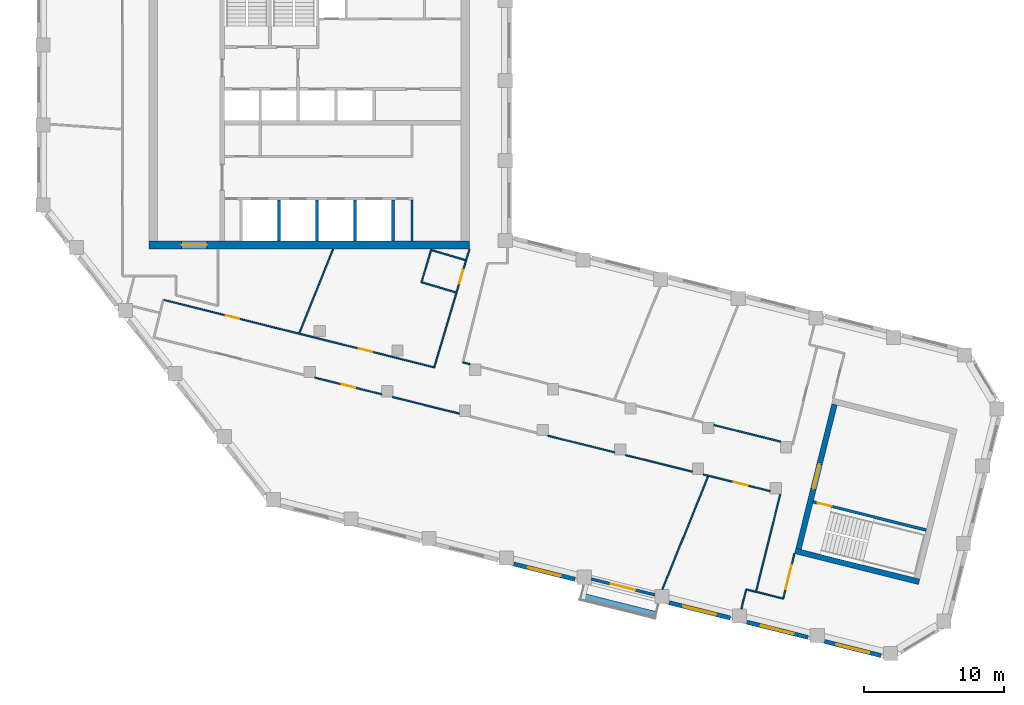
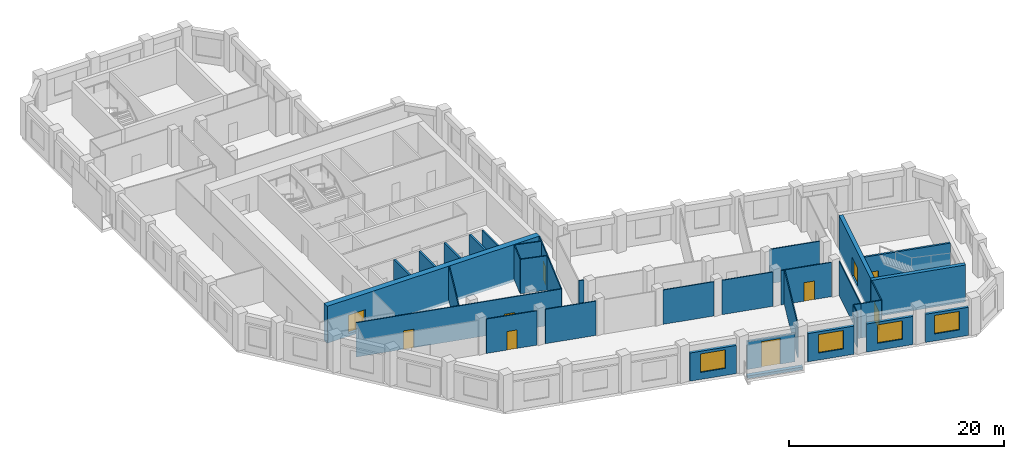
# One storey, part 3 of 9: 34 walls, 10 doors, 4 windows, 14 openings.
"""IFC4 building model written with IfcOpenShell, lengths in metres."""

from ifc_helpers import new_model, si_unit, direction, frame, frame_2d, origin, place, context, subcontext, project, spatial, rectangle, extrude, material, layer, layer_set, type_object, element, fill, save


model = new_model("IFC4")

# Units and contexts
model_context = context("Model", 3, precision=1e-05, world=origin(), true_north=direction((0.0, 1.0)))
body_context = subcontext(model_context, "Body", "Model", "MODEL_VIEW")
ifc_project = project(units=[si_unit("LENGTHUNIT", "METRE"), si_unit("AREAUNIT", "SQUARE_METRE"), si_unit("VOLUMEUNIT", "CUBIC_METRE"), si_unit("PLANEANGLEUNIT", "RADIAN"), si_unit("MASSUNIT", "GRAM", prefix="KILO")], contexts=[model_context])

# Site, building, storey
site_placement = place(None, origin())
site = spatial("IfcSite", under=ifc_project, at=site_placement, CompositionType="ELEMENT")
building_placement = place(site_placement, origin())
building = spatial("IfcBuilding", under=site, at=building_placement, Name="Meshkara Civic Tower", CompositionType="ELEMENT")
storey_placement = place(building_placement, frame((0.0, 0.0, 310.800048828125)))
storey = spatial("IfcBuildingStorey", under=building, at=storey_placement, Name="L71", CompositionType="ELEMENT", Elevation=310.800048828125)

# Wall
ifc_material_1 = material(Name="Blockwork", Category="masonry")
ifc_layer_1 = layer(ifc_material_1, 0.14990234375)
ifc_layer_set_1 = layer_set([ifc_layer_1], Name="Core partition 150")
wall_type_1 = type_object("IfcWallType", Name="Core partition 150", PredefinedType="PARTITIONING", material=ifc_layer_set_1)
wall_1_placement = place(storey_placement, frame((26.699951171875, 14.699951171875, 0.0), z_axis=(0.0, 0.0, 1.0), x_axis=(0.0, 1.0, 0.0)))
element("IfcWall", 1, at=wall_1_placement, inside=storey, type_object=wall_type_1, Name="L71-C024", PredefinedType="PARTITIONING", context=body_context, shape_type="SweptSolid", body=[
    extrude(rectangle(XDim=2.900146484375, YDim=0.14990234375, at=frame_2d((1.4501953125, 0.0))), origin(), (0.0, 0.0, 1.0), 3.89990234375),
])

# Wall, opening, door
ifc_material_2 = material(Name="Concrete C60", Category="concrete")
ifc_layer_2 = layer(ifc_material_2, 0.60009765625)
ifc_layer_set_2 = layer_set([ifc_layer_2], Name="Core ring wall 600 C60")
wall_type_2 = type_object("IfcWallType", Name="Core ring wall 600 C60", PredefinedType="SHEAR", material=ifc_layer_set_2)
wall_2_placement = place(storey_placement, frame((8.0, 14.39990234375, -0.300048828125), z_axis=(0.0, 0.0, 1.0), x_axis=(1.0, 0.0, 0.0)))
wall_2 = element("IfcWall", 2, at=wall_2_placement, inside=storey, type_object=wall_type_2, Name="L71-C001", PredefinedType="SHEAR", context=body_context, shape_type="SweptSolid", body=[
    extrude(rectangle(XDim=22.800048828125, YDim=0.60009765625, at=frame_2d((11.39990234375, 0.0))), origin(), (0.0, 0.0, 1.0), 4.199951171875),
])
opening_1_placement = place(wall_2_placement, frame((2.300048828125, 0.0, 0.300048828125)))
opening_1 = element("IfcOpeningElement", 3, at=opening_1_placement, cuts=wall_2, Name="Opening L71-K023", PredefinedType="OPENING", context=body_context, shape_type="SweptSolid", body=[
    extrude(rectangle(XDim=1.800048828125, YDim=2.10009765625, at=frame_2d((0.89990234375, 1.050048828125))), frame((0.0, 0.31005859375, 0.0), z_axis=(0.0, -1.0, 0.0), x_axis=(1.0, 0.0, 0.0)), (0.0, 0.0, 1.0), 0.6201171875),
])
ifc_material_3 = material(Name="Fire-rated door leaf in steel frame", Category="steel")
door_type_1 = type_object("IfcDoorType", Name="Core double door 1800 EI 60", OperationType="DOUBLE_DOOR_SINGLE_SWING", PredefinedType="DOOR", material=ifc_material_3)
door_1_placement = place(opening_1_placement, origin())
door_1 = element("IfcDoor", 4, at=door_1_placement, inside=storey, type_object=door_type_1, Name="L71-K023", OperationType="DOUBLE_DOOR_SINGLE_SWING", OverallHeight=2.10009765625, OverallWidth=1.800048828125, PredefinedType="DOOR", context=body_context, shape_type="SweptSolid", body=[
    extrude(rectangle(XDim=1.800048828125, YDim=2.10009765625, at=frame_2d((0.89990234375, 1.050048828125))), frame((0.0, 0.02490234375, 0.0), z_axis=(0.0, -1.0, 0.0), x_axis=(1.0, 0.0, 0.0)), (0.0, 0.0, 1.0), 0.050048828125),
])
fill(opening_1, door_1)

# Wall, openings, doors
ifc_material_4 = material(Name="Corridor wall 100")
ifc_layer_3 = layer(ifc_material_4, 0.10009765625)
ifc_layer_set_3 = layer_set([ifc_layer_3], Name="Corridor wall 100")
wall_type_3 = type_object("IfcWallType", Name="Corridor wall 100", PredefinedType="PARTITIONING", material=ifc_layer_set_3)
wall_3_placement = place(storey_placement, frame((9.001953125, 10.4990234375, 0.0), z_axis=(0.0, 0.0, 1.0), x_axis=(0.970298340477, -0.241911410372, 0.0)))
wall_3 = element("IfcWall", 5, at=wall_3_placement, inside=storey, type_object=wall_type_3, Name="L71-W007", PredefinedType="PARTITIONING", context=body_context, shape_type="SweptSolid", body=[
    extrude(rectangle(XDim=19.879638671875, YDim=0.10009765625, at=frame_2d((9.93994140625, 0.0))), origin(), (0.0, 0.0, 1.0), 3.89990234375),
])
opening_2_placement = place(wall_3_placement, frame((4.580078125, 0.0, 0.0)))
opening_2 = element("IfcOpeningElement", 6, at=opening_2_placement, cuts=wall_3, Name="Opening L71-D009", PredefinedType="OPENING", context=body_context, shape_type="SweptSolid", body=[
    extrude(rectangle(XDim=1.0, YDim=2.10009765625, at=frame_2d((0.5, 1.050048828125))), frame((0.0, 0.06005859375, 0.0), z_axis=(0.0, -1.0, 0.0), x_axis=(1.0, 0.0, 0.0)), (0.0, 0.0, 1.0), 0.1201171875),
])
opening_3_placement = place(wall_3_placement, frame((14.343017578125, 0.0, 0.0)))
opening_3 = element("IfcOpeningElement", 7, at=opening_3_placement, cuts=wall_3, Name="Opening L71-D010", PredefinedType="OPENING", context=body_context, shape_type="SweptSolid", body=[
    extrude(rectangle(XDim=1.0, YDim=2.10009765625, at=frame_2d((0.5, 1.050048828125))), frame((0.0, 0.06005859375, 0.0), z_axis=(0.0, -1.0, 0.0), x_axis=(1.0, 0.0, 0.0)), (0.0, 0.0, 1.0), 0.1201171875),
])
ifc_material_5 = material(Name="Door 1000 x 2100")
door_type_2 = type_object("IfcDoorType", Name="Door 1000 x 2100", OperationType="SINGLE_SWING_LEFT", PredefinedType="DOOR", material=ifc_material_5)
door_2_placement = place(opening_2_placement, origin())
door_2 = element("IfcDoor", 8, at=door_2_placement, inside=storey, type_object=door_type_2, Name="L71-D009", OperationType="SINGLE_SWING_RIGHT", OverallHeight=2.10009765625, OverallWidth=1.0, PredefinedType="DOOR", context=body_context, shape_type="SweptSolid", body=[
    extrude(rectangle(XDim=1.0, YDim=2.10009765625, at=frame_2d((0.5, 1.050048828125))), frame((0.0, 0.02490234375, 0.0), z_axis=(0.0, -1.0, 0.0), x_axis=(1.0, 0.0, 0.0)), (0.0, 0.0, 1.0), 0.050048828125),
])
fill(opening_2, door_2)
door_3_placement = place(opening_3_placement, origin())
door_3 = element("IfcDoor", 9, at=door_3_placement, inside=storey, type_object=door_type_2, Name="L71-D010", OperationType="SINGLE_SWING_LEFT", OverallHeight=2.10009765625, OverallWidth=1.0, PredefinedType="DOOR", context=body_context, shape_type="SweptSolid", body=[
    extrude(rectangle(XDim=1.0, YDim=2.10009765625, at=frame_2d((0.5, 1.050048828125))), frame((0.0, 0.02490234375, 0.0), z_axis=(0.0, -1.0, 0.0), x_axis=(1.0, 0.0, 0.0)), (0.0, 0.0, 1.0), 0.050048828125),
])
fill(opening_3, door_3)

# Wall, opening, door
wall_4_placement = place(storey_placement, frame((19.785888671875, 4.9599609375, 0.0), z_axis=(0.0, 0.0, 1.0), x_axis=(0.970335085454, -0.241763979817, 0.0)))
wall_4 = element("IfcWall", 10, at=wall_4_placement, inside=storey, type_object=wall_type_3, Name="L71-W016", PredefinedType="PARTITIONING", context=body_context, shape_type="SweptSolid", body=[
    extrude(rectangle(XDim=4.913818359375, YDim=0.10009765625, at=frame_2d((2.45703125, 0.0))), origin(), (0.0, 0.0, 1.0), 3.89990234375),
])
opening_4_placement = place(wall_4_placement, frame((1.97998046875, 0.0, 0.0)))
opening_4 = element("IfcOpeningElement", 11, at=opening_4_placement, cuts=wall_4, Name="Opening L71-D003", PredefinedType="OPENING", context=body_context, shape_type="SweptSolid", body=[
    extrude(rectangle(XDim=1.0, YDim=2.10009765625, at=frame_2d((0.5, 1.050048828125))), frame((0.0, 0.06005859375, 0.0), z_axis=(0.0, -1.0, 0.0), x_axis=(1.0, 0.0, 0.0)), (0.0, 0.0, 1.0), 0.1201171875),
])
door_4_placement = place(opening_4_placement, origin())
door_4 = element("IfcDoor", 12, at=door_4_placement, inside=storey, type_object=door_type_2, Name="L71-D003", OperationType="SINGLE_SWING_LEFT", OverallHeight=2.10009765625, OverallWidth=1.0, PredefinedType="DOOR", context=body_context, shape_type="SweptSolid", body=[
    extrude(rectangle(XDim=1.0, YDim=2.10009765625, at=frame_2d((0.5, 1.050048828125))), frame((0.0, 0.02490234375, 0.0), z_axis=(0.0, -1.0, 0.0), x_axis=(1.0, 0.0, 0.0)), (0.0, 0.0, 1.0), 0.050048828125),
])
fill(opening_4, door_4)

# Wall
wall_5_placement = place(storey_placement, frame((25.319091796875, 3.5810546875, 0.0), z_axis=(0.0, 0.0, 1.0), x_axis=(0.970308932068, -0.2418689239, 0.0)))
element("IfcWall", 13, at=wall_5_placement, inside=storey, type_object=wall_type_3, Name="L71-W019", PredefinedType="PARTITIONING", context=body_context, shape_type="SweptSolid", body=[
    extrude(rectangle(XDim=4.91162109375, YDim=0.10009765625, at=frame_2d((2.455810546875, 0.0))), origin(), (0.0, 0.0, 1.0), 3.89990234375),
])

# Wall, opening, door
wall_6_placement = place(storey_placement, frame((28.291015625, 5.68994140625, 0.0), z_axis=(0.0, 0.0, 1.0), x_axis=(0.28588265334, 0.958264633867, 0.0)))
wall_6 = element("IfcWall", 14, at=wall_6_placement, inside=storey, type_object=wall_type_3, Name="L71-W020", PredefinedType="PARTITIONING", context=body_context, shape_type="SweptSolid", body=[
    extrude(rectangle(XDim=8.7763671875, YDim=0.10009765625, at=frame_2d((4.38818359375, 0.0))), origin(), (0.0, 0.0, 1.0), 3.89990234375),
])
opening_5_placement = place(wall_6_placement, frame((6.22998046875, 0.0, 0.0)))
opening_5 = element("IfcOpeningElement", 15, at=opening_5_placement, cuts=wall_6, Name="Opening L71-D012", PredefinedType="OPENING", context=body_context, shape_type="SweptSolid", body=[
    extrude(rectangle(XDim=1.0, YDim=2.10009765625, at=frame_2d((0.5, 1.050048828125))), frame((0.0, 0.06005859375, 0.0), z_axis=(0.0, -1.0, 0.0), x_axis=(1.0, 0.0, 0.0)), (0.0, 0.0, 1.0), 0.1201171875),
])
door_5_placement = place(opening_5_placement, origin())
door_5 = element("IfcDoor", 16, at=door_5_placement, inside=storey, type_object=door_type_2, Name="L71-D012", OperationType="SINGLE_SWING_LEFT", OverallHeight=2.10009765625, OverallWidth=1.0, PredefinedType="DOOR", context=body_context, shape_type="SweptSolid", body=[
    extrude(rectangle(XDim=1.0, YDim=2.10009765625, at=frame_2d((0.5, 1.050048828125))), frame((0.0, 0.02490234375, 0.0), z_axis=(0.0, -1.0, 0.0), x_axis=(1.0, 0.0, 0.0)), (0.0, 0.0, 1.0), 0.050048828125),
])
fill(opening_5, door_5)

# Walls
wall_7_placement = place(storey_placement, frame((30.844970703125, 5.9130859375, 0.0), z_axis=(0.0, 0.0, 1.0), x_axis=(-0.970279216762, 0.241988102022, 0.0)))
element("IfcWall", 17, at=wall_7_placement, inside=storey, type_object=wall_type_3, Name="L71-W022", PredefinedType="PARTITIONING", context=body_context, shape_type="SweptSolid", body=[
    extrude(rectangle(XDim=0.524658203125, YDim=0.10009765625, at=frame_2d((0.26220703125, 0.0))), origin(), (0.0, 0.0, 1.0), 3.89990234375),
])
for number, where, z_axis, x_axis, name in (
    (18, (36.383056640625, 0.822998046875, 0.0), (0.0, 0.0, 1.0), (0.970274007865, -0.242008986738, 0.0), "L71-W027"),
    (19, (41.9140625, -0.555908203125, 0.0), (0.0, 0.0, 1.0), (0.970274007865, -0.242008986738, 0.0), "L71-W030"),
):
    element("IfcWall", number, at=place(storey_placement, frame(where, z_axis=z_axis, x_axis=x_axis)), inside=storey, type_object=wall_type_3, Name=name, PredefinedType="PARTITIONING", context=body_context, shape_type="SweptSolid", body=[
        extrude(rectangle(XDim=4.908935546875, YDim=0.10009765625, at=frame_2d((2.45458984375, 0.0))), origin(), (0.0, 0.0, 1.0), 3.89990234375),
    ])

# Wall, opening, door
wall_8_placement = place(storey_placement, frame((47.444091796875, -1.93505859375, 0.0), z_axis=(0.0, 0.0, 1.0), x_axis=(0.970285656006, -0.241962281665, 0.0)))
wall_8 = element("IfcWall", 20, at=wall_8_placement, inside=storey, type_object=wall_type_3, Name="L71-W032", PredefinedType="PARTITIONING", context=body_context, shape_type="SweptSolid", body=[
    extrude(rectangle(XDim=4.909912109375, YDim=0.10009765625, at=frame_2d((2.455078125, 0.0))), origin(), (0.0, 0.0, 1.0), 3.89990234375),
])
opening_6_placement = place(wall_8_placement, frame((2.2470703125, 0.0, 0.0)))
opening_6 = element("IfcOpeningElement", 21, at=opening_6_placement, cuts=wall_8, Name="Opening L71-D002", PredefinedType="OPENING", context=body_context, shape_type="SweptSolid", body=[
    extrude(rectangle(XDim=1.0, YDim=2.10009765625, at=frame_2d((0.5, 1.050048828125))), frame((0.0, 0.06005859375, 0.0), z_axis=(0.0, -1.0, 0.0), x_axis=(1.0, 0.0, 0.0)), (0.0, 0.0, 1.0), 0.1201171875),
])
door_6_placement = place(opening_6_placement, origin())
door_6 = element("IfcDoor", 22, at=door_6_placement, inside=storey, type_object=door_type_2, Name="L71-D002", OperationType="SINGLE_SWING_LEFT", OverallHeight=2.10009765625, OverallWidth=1.0, PredefinedType="DOOR", context=body_context, shape_type="SweptSolid", body=[
    extrude(rectangle(XDim=1.0, YDim=2.10009765625, at=frame_2d((0.5, 1.050048828125))), frame((0.0, 0.02490234375, 0.0), z_axis=(0.0, -1.0, 0.0), x_axis=(1.0, 0.0, 0.0)), (0.0, 0.0, 1.0), 0.050048828125),
])
fill(opening_6, door_6)

# Walls
wall_9_placement = place(storey_placement, frame((51.200927734375, -10.2919921875, 0.0), z_axis=(0.0, 0.0, 1.0), x_axis=(0.970307382734, -0.241875139301, 0.0)))
element("IfcWall", 23, at=wall_9_placement, inside=storey, type_object=wall_type_3, Name="L71-W033", PredefinedType="PARTITIONING", context=body_context, shape_type="SweptSolid", body=[
    extrude(rectangle(XDim=2.00048828125, YDim=0.10009765625, at=frame_2d((1.000244140625, 0.0))), origin(), (0.0, 0.0, 1.0), 3.89990234375),
])
wall_10_placement = place(storey_placement, frame((52.94091796875, -3.31396484375, 0.0), z_axis=(0.0, 0.0, 1.0), x_axis=(-0.241944492524, -0.97029009195, 0.0)))
element("IfcWall", 24, at=wall_10_placement, inside=storey, type_object=wall_type_3, Name="L71-W034", PredefinedType="PARTITIONING", context=body_context, shape_type="SweptSolid", body=[
    extrude(rectangle(XDim=7.191650390625, YDim=0.10009765625, at=frame_2d((3.595703125, 0.0))), origin(), (0.0, 0.0, 1.0), 3.89990234375),
])
wall_11_placement = place(storey_placement, frame((52.971923828125, 0.39697265625, 0.0), z_axis=(0.0, 0.0, 1.0), x_axis=(-0.970300077675, 0.241904442422, 0.0)))
element("IfcWall", 25, at=wall_11_placement, inside=storey, type_object=wall_type_3, Name="L71-W035", PredefinedType="PARTITIONING", context=body_context, shape_type="SweptSolid", body=[
    extrude(rectangle(XDim=4.9150390625, YDim=0.10009765625, at=frame_2d((2.45751953125, 0.0))), origin(), (0.0, 0.0, 1.0), 3.89990234375),
])

# Wall, opening, door
wall_12_placement = place(storey_placement, frame((53.14208984375, -10.77587890625, 0.0), z_axis=(0.0, 0.0, 1.0), x_axis=(0.241786986316, 0.970329352977, 0.0)))
wall_12 = element("IfcWall", 26, at=wall_12_placement, inside=storey, type_object=wall_type_3, Name="L71-W036", PredefinedType="PARTITIONING", context=body_context, shape_type="SweptSolid", body=[
    extrude(rectangle(XDim=3.2998046875, YDim=0.10009765625, at=frame_2d((1.64990234375, 0.0))), origin(), (0.0, 0.0, 1.0), 3.89990234375),
])
opening_7_placement = place(wall_12_placement, frame((0.679931640625, 0.0, 0.0)))
opening_7 = element("IfcOpeningElement", 27, at=opening_7_placement, cuts=wall_12, Name="Opening L71-D001", PredefinedType="OPENING", context=body_context, shape_type="SweptSolid", body=[
    extrude(rectangle(XDim=1.800048828125, YDim=2.10009765625, at=frame_2d((0.89990234375, 1.050048828125))), frame((0.0, 0.06005859375, 0.0), z_axis=(0.0, -1.0, 0.0), x_axis=(1.0, 0.0, 0.0)), (0.0, 0.0, 1.0), 0.1201171875),
])
ifc_material_6 = material(Name="Door pair 1800 x 2100")
door_type_3 = type_object("IfcDoorType", Name="Door pair 1800 x 2100", OperationType="SINGLE_SWING_LEFT", PredefinedType="DOOR", material=ifc_material_6)
door_7_placement = place(opening_7_placement, origin())
door_7 = element("IfcDoor", 28, at=door_7_placement, inside=storey, type_object=door_type_3, Name="L71-D001", OperationType="DOUBLE_DOOR_SINGLE_SWING", OverallHeight=2.10009765625, OverallWidth=1.800048828125, PredefinedType="DOOR", context=body_context, shape_type="SweptSolid", body=[
    extrude(rectangle(XDim=1.800048828125, YDim=2.10009765625, at=frame_2d((0.89990234375, 1.050048828125))), frame((0.0, 0.02490234375, 0.0), z_axis=(0.0, -1.0, 0.0), x_axis=(1.0, 0.0, 0.0)), (0.0, 0.0, 1.0), 0.050048828125),
])
fill(opening_7, door_7)

# Wall, opening, window
ifc_material_7 = material(Name="Insulated infill panel with bronze anodised aluminium cladding", Category="aluminium")
ifc_layer_4 = layer(ifc_material_7, 0.300048828125)
ifc_layer_set_4 = layer_set([ifc_layer_4], Name="EXTERNAL INFILL WALL 300")
wall_type_4 = type_object("IfcWallType", Name="EXTERNAL INFILL WALL 300", PredefinedType="SOLIDWALL", material=ifc_layer_set_4)
wall_13_placement = place(storey_placement, frame((33.958984375, -8.31201171875, 0.0), z_axis=(0.0, 0.0, 1.0), x_axis=(0.970276766004, -0.241997928406, 0.0)))
wall_13 = element("IfcWall", 29, at=wall_13_placement, inside=storey, type_object=wall_type_4, Name="External wall", PredefinedType="SOLIDWALL", context=body_context, shape_type="SweptSolid", body=[
    extrude(rectangle(XDim=4.4873046875, YDim=0.300048828125, at=frame_2d((2.24365234375, 0.0))), origin(), (0.0, 0.0, 1.0), 3.199951171875),
])
opening_8_placement = place(wall_13_placement, frame((1.0439453125, 0.0, 0.800048828125)))
opening_8 = element("IfcOpeningElement", 30, at=opening_8_placement, cuts=wall_13, Name="Opening W7", PredefinedType="OPENING", context=body_context, shape_type="SweptSolid", body=[
    extrude(rectangle(XDim=2.39990234375, YDim=2.10009765625, at=frame_2d((1.199951171875, 1.050048828125))), frame((0.0, 0.159912109375, 0.0), z_axis=(0.0, -1.0, 0.0), x_axis=(1.0, 0.0, 0.0)), (0.0, 0.0, 1.0), 0.320068359375),
])
ifc_material_8 = material(Name="Tinted double glazing", Category="glass")
window_type = type_object("IfcWindowType", Name="WINDOW 2400x2100", PartitioningType="DOUBLE_PANEL_VERTICAL", PredefinedType="WINDOW", material=ifc_material_8)
window_1_placement = place(opening_8_placement, origin())
window_1 = element("IfcWindow", 31, at=window_1_placement, inside=storey, type_object=window_type, Name="Window", OverallHeight=2.10009765625, OverallWidth=2.39990234375, PartitioningType="DOUBLE_PANEL_VERTICAL", PredefinedType="WINDOW", context=body_context, shape_type="SweptSolid", body=[
    extrude(rectangle(XDim=2.39990234375, YDim=2.10009765625, at=frame_2d((1.199951171875, 1.050048828125))), frame((0.0, 0.030029296875, 0.0), z_axis=(0.0, -1.0, 0.0), x_axis=(1.0, 0.0, 0.0)), (0.0, 0.0, 1.0), 0.06005859375),
])
fill(opening_8, window_1)

wall_14_placement = place(storey_placement, frame((45.02001953125, -11.070068359375, 0.0), z_axis=(0.0, 0.0, 1.0), x_axis=(0.970276766004, -0.241997928406, 0.0)))
wall_14 = element("IfcWall", 32, at=wall_14_placement, inside=storey, type_object=wall_type_4, Name="External wall", PredefinedType="SOLIDWALL", context=body_context, shape_type="SweptSolid", body=[
    extrude(rectangle(XDim=4.4873046875, YDim=0.300048828125, at=frame_2d((2.24365234375, 0.0))), origin(), (0.0, 0.0, 1.0), 3.199951171875),
])
opening_9_placement = place(wall_14_placement, frame((1.0439453125, 0.0, 0.800048828125)))
opening_9 = element("IfcOpeningElement", 33, at=opening_9_placement, cuts=wall_14, Name="Opening W7", PredefinedType="OPENING", context=body_context, shape_type="SweptSolid", body=[
    extrude(rectangle(XDim=2.39990234375, YDim=2.10009765625, at=frame_2d((1.199951171875, 1.050048828125))), frame((0.0, 0.159912109375, 0.0), z_axis=(0.0, -1.0, 0.0), x_axis=(1.0, 0.0, 0.0)), (0.0, 0.0, 1.0), 0.320068359375),
])
window_2_placement = place(opening_9_placement, origin())
window_2 = element("IfcWindow", 34, at=window_2_placement, inside=storey, type_object=window_type, Name="Window", OverallHeight=2.10009765625, OverallWidth=2.39990234375, PartitioningType="DOUBLE_PANEL_VERTICAL", PredefinedType="WINDOW", context=body_context, shape_type="SweptSolid", body=[
    extrude(rectangle(XDim=2.39990234375, YDim=2.10009765625, at=frame_2d((1.199951171875, 1.050048828125))), frame((0.0, 0.030029296875, 0.0), z_axis=(0.0, -1.0, 0.0), x_axis=(1.0, 0.0, 0.0)), (0.0, 0.0, 1.0), 0.06005859375),
])
fill(opening_9, window_2)

wall_15_placement = place(storey_placement, frame((50.551025390625, -12.448974609375, 0.0), z_axis=(0.0, 0.0, 1.0), x_axis=(0.970276766004, -0.241997928406, 0.0)))
wall_15 = element("IfcWall", 35, at=wall_15_placement, inside=storey, type_object=wall_type_4, Name="External wall", PredefinedType="SOLIDWALL", context=body_context, shape_type="SweptSolid", body=[
    extrude(rectangle(XDim=4.4873046875, YDim=0.300048828125, at=frame_2d((2.24365234375, 0.0))), origin(), (0.0, 0.0, 1.0), 3.199951171875),
])
opening_10_placement = place(wall_15_placement, frame((1.0439453125, 0.0, 0.800048828125)))
opening_10 = element("IfcOpeningElement", 36, at=opening_10_placement, cuts=wall_15, Name="Opening W7", PredefinedType="OPENING", context=body_context, shape_type="SweptSolid", body=[
    extrude(rectangle(XDim=2.39990234375, YDim=2.10009765625, at=frame_2d((1.199951171875, 1.050048828125))), frame((0.0, 0.159912109375, 0.0), z_axis=(0.0, -1.0, 0.0), x_axis=(1.0, 0.0, 0.0)), (0.0, 0.0, 1.0), 0.320068359375),
])
window_3_placement = place(opening_10_placement, origin())
window_3 = element("IfcWindow", 37, at=window_3_placement, inside=storey, type_object=window_type, Name="Window", OverallHeight=2.10009765625, OverallWidth=2.39990234375, PartitioningType="DOUBLE_PANEL_VERTICAL", PredefinedType="WINDOW", context=body_context, shape_type="SweptSolid", body=[
    extrude(rectangle(XDim=2.39990234375, YDim=2.10009765625, at=frame_2d((1.199951171875, 1.050048828125))), frame((0.0, 0.030029296875, 0.0), z_axis=(0.0, -1.0, 0.0), x_axis=(1.0, 0.0, 0.0)), (0.0, 0.0, 1.0), 0.06005859375),
])
fill(opening_10, window_3)

wall_16_placement = place(storey_placement, frame((56.0810546875, -13.827880859375, 0.0), z_axis=(0.0, 0.0, 1.0), x_axis=(0.970246294139, -0.242120070853, 0.0)))
wall_16 = element("IfcWall", 38, at=wall_16_placement, inside=storey, type_object=wall_type_4, Name="External wall", PredefinedType="SOLIDWALL", context=body_context, shape_type="SweptSolid", body=[
    extrude(rectangle(XDim=4.147216796875, YDim=0.300048828125, at=frame_2d((2.07373046875, 0.0))), origin(), (0.0, 0.0, 1.0), 3.199951171875),
])
opening_11_placement = place(wall_16_placement, frame((0.8740234375, 0.0, 0.800048828125)))
opening_11 = element("IfcOpeningElement", 39, at=opening_11_placement, cuts=wall_16, Name="Opening W7", PredefinedType="OPENING", context=body_context, shape_type="SweptSolid", body=[
    extrude(rectangle(XDim=2.39990234375, YDim=2.10009765625, at=frame_2d((1.199951171875, 1.050048828125))), frame((0.0, 0.159912109375, 0.0), z_axis=(0.0, -1.0, 0.0), x_axis=(1.0, 0.0, 0.0)), (0.0, 0.0, 1.0), 0.320068359375),
])
window_4_placement = place(opening_11_placement, origin())
window_4 = element("IfcWindow", 40, at=window_4_placement, inside=storey, type_object=window_type, Name="Window", OverallHeight=2.10009765625, OverallWidth=2.39990234375, PartitioningType="DOUBLE_PANEL_VERTICAL", PredefinedType="WINDOW", context=body_context, shape_type="SweptSolid", body=[
    extrude(rectangle(XDim=2.39990234375, YDim=2.10009765625, at=frame_2d((1.199951171875, 1.050048828125))), frame((0.0, 0.030029296875, 0.0), z_axis=(0.0, -1.0, 0.0), x_axis=(1.0, 0.0, 0.0)), (0.0, 0.0, 1.0), 0.06005859375),
])
fill(opening_11, window_4)

# Wall
ifc_material_9 = material(Name="Concrete C60", Category="concrete")
ifc_layer_5 = layer(ifc_material_9, 0.39990234375)
ifc_layer_set_5 = layer_set([ifc_layer_5], Name="End core ring wall 400 C60")
wall_type_5 = type_object("IfcWallType", Name="End core ring wall 400 C60", PredefinedType="SHEAR", material=ifc_layer_set_5)
wall_17_placement = place(storey_placement, frame((53.988037109375, -7.3798828125, -0.300048828125), z_axis=(0.0, 0.0, 1.0), x_axis=(0.970281210621, -0.241980107272, 0.0)))
element("IfcWall", 41, at=wall_17_placement, inside=storey, type_object=wall_type_5, Name="L71-C032", PredefinedType="SHEAR", context=body_context, shape_type="SweptSolid", body=[
    extrude(rectangle(XDim=9.1005859375, YDim=0.39990234375, at=frame_2d((4.55029296875, 0.0))), origin(), (0.0, 0.0, 1.0), 4.199951171875),
])

# Wall, opening, door
wall_18_placement = place(storey_placement, frame((54.23095703125, -7.23388671875, -0.300048828125), z_axis=(0.0, 0.0, 1.0), x_axis=(0.241890652548, 0.970303515509, 0.0)))
wall_18 = element("IfcWall", 42, at=wall_18_placement, inside=storey, type_object=wall_type_5, Name="L71-C034", PredefinedType="SHEAR", context=body_context, shape_type="SweptSolid", body=[
    extrude(rectangle(XDim=10.599609375, YDim=0.39990234375, at=frame_2d((5.2998046875, 0.0))), origin(), (0.0, 0.0, 1.0), 4.199951171875),
])
opening_12_placement = place(wall_18_placement, frame((4.39990234375, 0.0, 0.300048828125)))
opening_12 = element("IfcOpeningElement", 43, at=opening_12_placement, cuts=wall_18, Name="Opening L71-K202", PredefinedType="OPENING", context=body_context, shape_type="SweptSolid", body=[
    extrude(rectangle(XDim=1.800048828125, YDim=2.10009765625, at=frame_2d((0.89990234375, 1.050048828125))), frame((0.0, 0.2099609375, 0.0), z_axis=(0.0, -1.0, 0.0), x_axis=(1.0, 0.0, 0.0)), (0.0, 0.0, 1.0), 0.419921875),
])
door_8_placement = place(opening_12_placement, origin())
door_8 = element("IfcDoor", 44, at=door_8_placement, inside=storey, type_object=door_type_1, Name="L71-K202", OperationType="DOUBLE_DOOR_SINGLE_SWING", OverallHeight=2.10009765625, OverallWidth=1.800048828125, PredefinedType="DOOR", context=body_context, shape_type="SweptSolid", body=[
    extrude(rectangle(XDim=1.800048828125, YDim=2.10009765625, at=frame_2d((0.89990234375, 1.050048828125))), frame((0.0, 0.02490234375, 0.0), z_axis=(0.0, -1.0, 0.0), x_axis=(1.0, 0.0, 0.0)), (0.0, 0.0, 1.0), 0.050048828125),
])
fill(opening_12, door_8)

ifc_material_10 = material(Name="Insulated infill panel with bronze anodised aluminium cladding", Category="aluminium")
ifc_layer_6 = layer(ifc_material_10, 0.199951171875)
ifc_layer_set_6 = layer_set([ifc_layer_6], Name="LOGGIA BACK WALL 200")
wall_type_6 = type_object("IfcWallType", Name="LOGGIA BACK WALL 200", PredefinedType="SOLIDWALL", material=ifc_layer_set_6)
wall_19_placement = place(storey_placement, frame((39.47412109375, -9.37890625, 0.0), z_axis=(0.0, 0.0, 1.0), x_axis=(0.970308390734, -0.241871095567, 0.0)))
wall_19 = element("IfcWall", 45, at=wall_19_placement, inside=storey, type_object=wall_type_6, Name="Loggia wall", PredefinedType="SOLIDWALL", context=body_context, shape_type="SweptSolid", body=[
    extrude(rectangle(XDim=4.66845703125, YDim=0.199951171875, at=frame_2d((2.334228515625, 0.0))), origin(), (0.0, 0.0, 1.0), 3.199951171875),
])
opening_13_placement = place(wall_19_placement, frame((1.43408203125, 0.0, 0.0)))
opening_13 = element("IfcOpeningElement", 46, at=opening_13_placement, cuts=wall_19, Name="Opening L71-L002", PredefinedType="OPENING", context=body_context, shape_type="SweptSolid", body=[
    extrude(rectangle(XDim=1.800048828125, YDim=2.89990234375, at=frame_2d((0.89990234375, 1.449951171875))), frame((0.0, 0.10986328125, 0.0), z_axis=(0.0, -1.0, 0.0), x_axis=(1.0, 0.0, 0.0)), (0.0, 0.0, 1.0), 0.219970703125),
])
ifc_material_11 = material(Name="Tinted double glazing", Category="glass")
door_type_4 = type_object("IfcDoorType", Name="LOGGIA DOOR 1800x2900", OperationType="DOUBLE_DOOR_SINGLE_SWING", PredefinedType="DOOR", material=ifc_material_11)
door_9_placement = place(opening_13_placement, origin())
door_9 = element("IfcDoor", 47, at=door_9_placement, inside=storey, type_object=door_type_4, Name="L71-L002", OperationType="DOUBLE_DOOR_SINGLE_SWING", OverallHeight=2.89990234375, OverallWidth=1.800048828125, PredefinedType="DOOR", context=body_context, shape_type="SweptSolid", body=[
    extrude(rectangle(XDim=1.800048828125, YDim=2.89990234375, at=frame_2d((0.89990234375, 1.449951171875))), frame((0.0, 0.02490234375, 0.0), z_axis=(0.0, -1.0, 0.0), x_axis=(1.0, 0.0, 0.0)), (0.0, 0.0, 1.0), 0.050048828125),
])
fill(opening_13, door_9)

# Walls
ifc_material_12 = material(Name="Concrete C40", Category="concrete")
ifc_layer_7 = layer(ifc_material_12, 0.39990234375)
ifc_layer_set_7 = layer_set([ifc_layer_7], Name="PLANTER TRAY")
wall_type_7 = type_object("IfcWallType", Name="PLANTER TRAY", PredefinedType="SOLIDWALL", material=ifc_layer_set_7)
wall_20_placement = place(storey_placement, frame((38.81689453125, -10.5849609375, 0.0), z_axis=(0.0, 0.0, 1.0), x_axis=(0.970270982915, -0.242021114189, 0.0)))
element("IfcWall", 48, at=wall_20_placement, inside=storey, type_object=wall_type_7, Name="Planter", PredefinedType="SOLIDWALL", context=body_context, shape_type="SweptSolid", body=[
    extrude(rectangle(XDim=5.359619140625, YDim=0.39990234375, at=frame_2d((2.6796875, 0.0))), origin(), (0.0, 0.0, 1.0), 0.300048828125),
])
ifc_material_13 = material(Name="Partition 100")
ifc_layer_8 = layer(ifc_material_13, 0.10009765625)
ifc_layer_set_8 = layer_set([ifc_layer_8], Name="Partition 100")
wall_type_8 = type_object("IfcWallType", Name="Partition 100", PredefinedType="PARTITIONING", material=ifc_layer_set_8)
wall_21_placement = place(storey_placement, frame((18.69091796875, 8.14208984375, 0.0), z_axis=(0.0, 0.0, 1.0), x_axis=(0.374447972071, 0.927247925968, 0.0)))
element("IfcWall", 49, at=wall_21_placement, inside=storey, type_object=wall_type_8, Name="L71-W046", PredefinedType="PARTITIONING", context=body_context, shape_type="SweptSolid", body=[
    extrude(rectangle(XDim=6.425537109375, YDim=0.10009765625, at=frame_2d((3.212890625, 0.0))), origin(), (0.0, 0.0, 1.0), 3.89990234375),
])
wall_22_placement = place(storey_placement, frame((27.385986328125, 11.751953125, 0.0), z_axis=(0.0, 0.0, 1.0), x_axis=(0.285826425332, 0.958281406781, 0.0)))
element("IfcWall", 50, at=wall_22_placement, inside=storey, type_object=wall_type_8, Name="L71-W049", PredefinedType="PARTITIONING", context=body_context, shape_type="SweptSolid", body=[
    extrude(rectangle(XDim=2.400146484375, YDim=0.10009765625, at=frame_2d((1.2001953125, 0.0))), origin(), (0.0, 0.0, 1.0), 3.89990234375),
])
for number, where, z_axis, x_axis, name in (
    (51, (28.072021484375, 14.052001953125, 0.0), (0.0, 0.0, 1.0), (0.95828086131, -0.285828254108, 0.0), "L71-W050"),
    (52, (29.830078125, 11.02294921875, 0.0), (0.0, 0.0, 1.0), (-0.95828086131, 0.285828254108, 0.0), "L71-W051"),
):
    element("IfcWall", number, at=place(storey_placement, frame(where, z_axis=z_axis, x_axis=x_axis)), inside=storey, type_object=wall_type_8, Name=name, PredefinedType="PARTITIONING", context=body_context, shape_type="SweptSolid", body=[
        extrude(rectangle(XDim=2.550537109375, YDim=0.10009765625, at=frame_2d((1.275390625, 0.0))), origin(), (0.0, 0.0, 1.0), 3.89990234375),
    ])
wall_23_placement = place(storey_placement, frame((44.533935546875, -10.133056640625, 0.0), z_axis=(0.0, 0.0, 1.0), x_axis=(0.37452392763, 0.927217249426, 0.0)))
element("IfcWall", 53, at=wall_23_placement, inside=storey, type_object=wall_type_8, Name="L71-W053", PredefinedType="PARTITIONING", context=body_context, shape_type="SweptSolid", body=[
    extrude(rectangle(XDim=8.686279296875, YDim=0.10009765625, at=frame_2d((4.34326171875, 0.0))), origin(), (0.0, 0.0, 1.0), 3.89990234375),
])
wall_24_placement = place(storey_placement, frame((50.159912109375, -11.511962890625, 0.0), z_axis=(0.0, 0.0, 1.0), x_axis=(0.241815333826, 0.970322288895, 0.0)))
element("IfcWall", 54, at=wall_24_placement, inside=storey, type_object=wall_type_8, Name="L71-W055", PredefinedType="PARTITIONING", context=body_context, shape_type="SweptSolid", body=[
    extrude(rectangle(XDim=1.435791015625, YDim=0.10009765625, at=frame_2d((0.7177734375, 0.0))), origin(), (0.0, 0.0, 1.0), 3.89990234375),
])
wall_25_placement = place(storey_placement, frame((50.507080078125, -10.118896484375, 0.0), z_axis=(0.0, 0.0, 1.0), x_axis=(0.970282083048, -0.241976609029, 0.0)))
element("IfcWall", 55, at=wall_25_placement, inside=storey, type_object=wall_type_8, Name="L71-W056", PredefinedType="PARTITIONING", context=body_context, shape_type="SweptSolid", body=[
    extrude(rectangle(XDim=0.719482421875, YDim=0.10009765625, at=frame_2d((0.35986328125, 0.0))), origin(), (0.0, 0.0, 1.0), 3.89990234375),
])
ifc_material_14 = material(Name="Concrete C40/50", Category="concrete")
ifc_layer_9 = layer(ifc_material_14, 0.199951171875)
ifc_layer_set_9 = layer_set([ifc_layer_9], Name="Shaft wall 200 C40/50")
wall_type_9 = type_object("IfcWallType", Name="Shaft wall 200 C40/50", PredefinedType="SOLIDWALL", material=ifc_layer_set_9)
for number, where, z_axis, x_axis, name in (
    (56, (17.25, 14.699951171875, 0.0), (0.0, 0.0, 1.0), (0.0, 1.0, 0.0), "L71-C015"),
    (57, (19.949951171875, 14.699951171875, 0.0), (0.0, 0.0, 1.0), (0.0, 1.0, 0.0), "L71-C017"),
    (58, (22.64990234375, 14.699951171875, 0.0), (0.0, 0.0, 1.0), (0.0, 1.0, 0.0), "L71-C021"),
    (59, (25.35009765625, 14.699951171875, 0.0), (0.0, 0.0, 1.0), (0.0, 1.0, 0.0), "L71-C023"),
):
    element("IfcWall", number, at=place(storey_placement, frame(where, z_axis=z_axis, x_axis=x_axis)), inside=storey, type_object=wall_type_9, Name=name, PredefinedType="SOLIDWALL", context=body_context, shape_type="SweptSolid", body=[
        extrude(rectangle(XDim=2.900146484375, YDim=0.199951171875, at=frame_2d((1.4501953125, 0.0))), origin(), (0.0, 0.0, 1.0), 3.89990234375),
    ])

# Wall, opening, door
ifc_material_15 = material(Name="Concrete C40/50", Category="concrete")
ifc_layer_10 = layer(ifc_material_15, 0.199951171875)
ifc_layer_set_10 = layer_set([ifc_layer_10], Name="Stair enclosure wall 200 C40/50")
wall_type_10 = type_object("IfcWallType", Name="Stair enclosure wall 200 C40/50", PredefinedType="SOLIDWALL", material=ifc_layer_set_10)
wall_26_placement = place(storey_placement, frame((55.27099609375, -3.886962890625, 0.0), z_axis=(0.0, 0.0, 1.0), x_axis=(0.970296288869, -0.241919639151, 0.0)))
wall_26 = element("IfcWall", 60, at=wall_26_placement, inside=storey, type_object=wall_type_10, Name="L71-C036", PredefinedType="SOLIDWALL", context=body_context, shape_type="SweptSolid", body=[
    extrude(rectangle(XDim=8.300537109375, YDim=0.199951171875, at=frame_2d((4.150390625, 0.0))), origin(), (0.0, 0.0, 1.0), 3.89990234375),
])
opening_14_placement = place(wall_26_placement, frame((0.35009765625, 0.0, 0.0)))
opening_14 = element("IfcOpeningElement", 61, at=opening_14_placement, cuts=wall_26, Name="Opening L71-K201", PredefinedType="OPENING", context=body_context, shape_type="SweptSolid", body=[
    extrude(rectangle(XDim=1.0, YDim=2.10009765625, at=frame_2d((0.5, 1.050048828125))), frame((0.0, 0.10986328125, 0.0), z_axis=(0.0, -1.0, 0.0), x_axis=(1.0, 0.0, 0.0)), (0.0, 0.0, 1.0), 0.219970703125),
])
ifc_material_16 = material(Name="Fire-rated door leaf in steel frame", Category="steel")
door_type_5 = type_object("IfcDoorType", Name="Stair door 1000 EI 120", OperationType="SINGLE_SWING_LEFT", PredefinedType="DOOR", material=ifc_material_16)
door_10_placement = place(opening_14_placement, origin())
door_10 = element("IfcDoor", 62, at=door_10_placement, inside=storey, type_object=door_type_5, Name="L71-K201", OperationType="SINGLE_SWING_LEFT", OverallHeight=2.10009765625, OverallWidth=1.0, PredefinedType="DOOR", context=body_context, shape_type="SweptSolid", body=[
    extrude(rectangle(XDim=1.0, YDim=2.10009765625, at=frame_2d((0.5, 1.050048828125))), frame((0.0, 0.02490234375, 0.0), z_axis=(0.0, -1.0, 0.0), x_axis=(1.0, 0.0, 0.0)), (0.0, 0.0, 1.0), 0.050048828125),
])
fill(opening_14, door_10)

save(model, "model.ifc")
